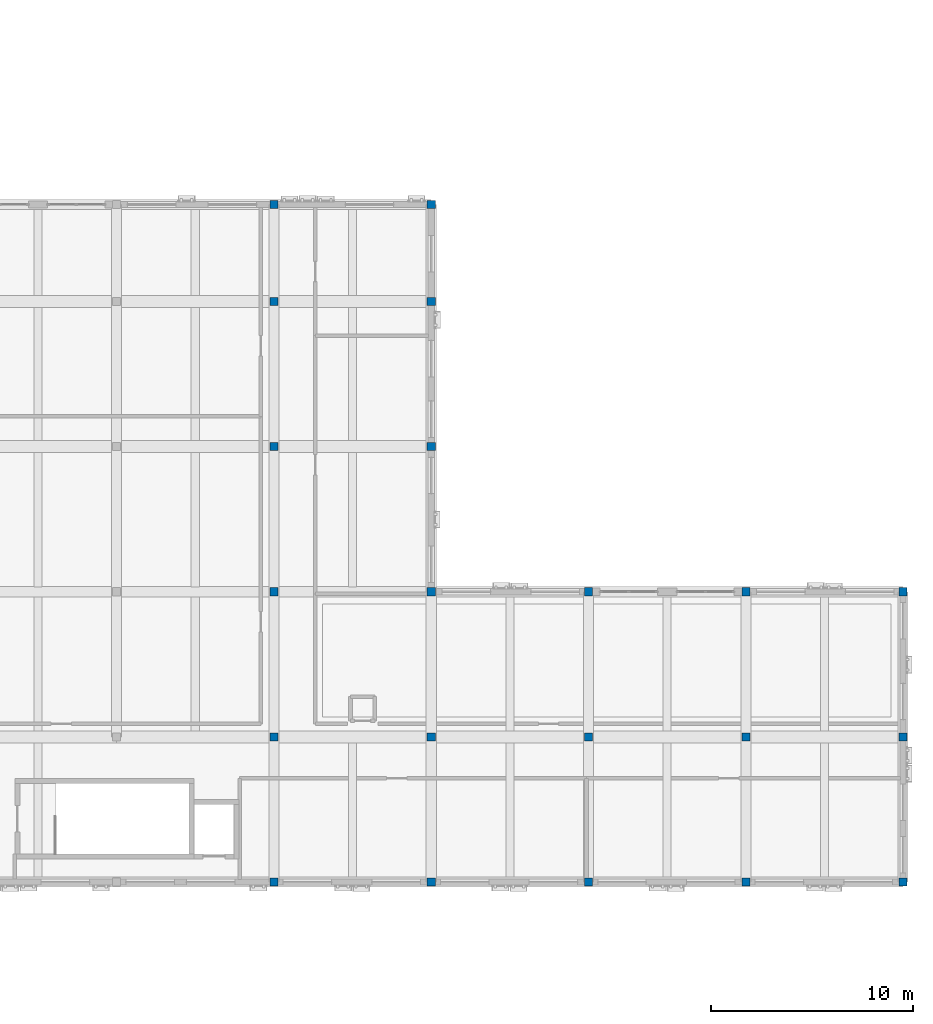
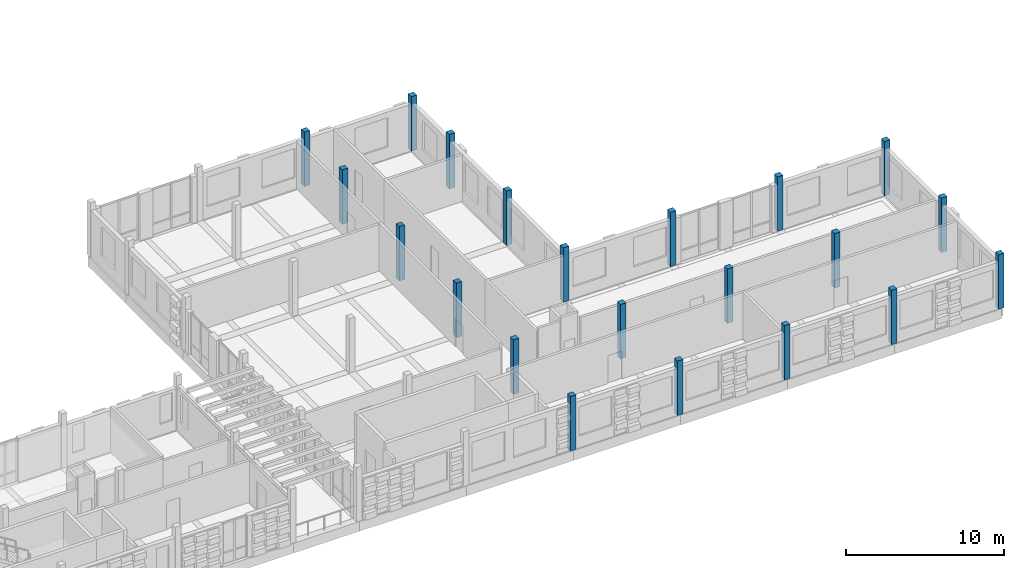
# One storey, part 9 of 99: 21 columns.
"""IFC4 building model written with IfcOpenShell, lengths in metres."""

from ifc_helpers import new_model, si_unit, direction, frame, origin, origin_2d, place, context, subcontext, project, spatial, rectangle, extrude, material, material_profile, profile_set, type_object, element, save


model = new_model("IFC4")

# Units and contexts
model_context = context("Model", 3, precision=1e-05, world=origin(), true_north=direction((0.0, 1.0)))
body_context = subcontext(model_context, "Body", "Model", "MODEL_VIEW")
ifc_project = project(units=[si_unit("LENGTHUNIT", "METRE"), si_unit("AREAUNIT", "SQUARE_METRE"), si_unit("VOLUMEUNIT", "CUBIC_METRE"), si_unit("PLANEANGLEUNIT", "RADIAN"), si_unit("MASSUNIT", "GRAM", prefix="KILO")], contexts=[model_context])

# Site, building, storey
site_placement = place(None, origin())
site = spatial("IfcSite", under=ifc_project, at=site_placement, CompositionType="ELEMENT")
building_placement = place(site_placement, origin())
building = spatial("IfcBuilding", under=site, at=building_placement, Name="Kahlenmark Community Centre", CompositionType="ELEMENT")
storey_placement = place(building_placement, frame((0.0, 0.0, 5.39990234375)))
storey = spatial("IfcBuildingStorey", under=building, at=storey_placement, Name="L01", CompositionType="ELEMENT", Elevation=5.39990234375)

# Columns
ifc_material = material(Name="Glulam GL32h", Category="wood")
ifc_material_profile = material_profile(ifc_material, rectangle(XDim=0.39990234375, YDim=0.39990234375, at=origin_2d()), Name="GL32h 400x400")
ifc_profile_set = profile_set([ifc_material_profile], Name="Glulam GL32h")
column_type = type_object("IfcColumnType", Name="CT-GL400", PredefinedType="COLUMN", material=ifc_profile_set)
for number, where, z_axis, x_axis, name in (
    (1, (137.199951171875, 8.800048828125, 0.0), (0.0, 0.0, 1.0), (1.0, 0.0, 0.0), "L01 column (137.2, 8.8)"),
    (2, (137.199951171875, 16.0, 0.0), (0.0, 0.0, 1.0), (1.0, 0.0, 0.0), "L01 column (137.2, 16.0)"),
    (3, (137.199951171875, 23.199951171875, 0.0), (0.0, 0.0, 1.0), (1.0, 0.0, 0.0), "L01 column (137.2, 23.2)"),
    (4, (137.199951171875, 30.39990234375, 0.0), (0.0, 0.0, 1.0), (1.0, 0.0, 0.0), "L01 column (137.2, 30.4)"),
    (5, (137.199951171875, 37.60009765625, 0.0), (0.0, 0.0, 1.0), (1.0, 0.0, 0.0), "L01 column (137.2, 37.6)"),
    (6, (137.199951171875, 42.39990234375, 0.0), (0.0, 0.0, 1.0), (1.0, 0.0, 0.0), "L01 column (137.2, 42.4)"),
    (7, (145.0, 8.800048828125, 0.0), (0.0, 0.0, 1.0), (1.0, 0.0, 0.0), "L01 column (145.0, 8.8)"),
    (8, (145.0, 16.0, 0.0), (0.0, 0.0, 1.0), (1.0, 0.0, 0.0), "L01 column (145.0, 16.0)"),
    (9, (145.0, 23.199951171875, 0.0), (0.0, 0.0, 1.0), (1.0, 0.0, 0.0), "L01 column (145.0, 23.2)"),
    (10, (145.0, 30.39990234375, 0.0), (0.0, 0.0, 1.0), (1.0, 0.0, 0.0), "L01 column (145.0, 30.4)"),
    (11, (145.0, 37.60009765625, 0.0), (0.0, 0.0, 1.0), (1.0, 0.0, 0.0), "L01 column (145.0, 37.6)"),
    (12, (145.0, 42.39990234375, 0.0), (0.0, 0.0, 1.0), (1.0, 0.0, 0.0), "L01 column (145.0, 42.4)"),
    (13, (152.800048828125, 8.800048828125, 0.0), (0.0, 0.0, 1.0), (1.0, 0.0, 0.0), "L01 column (152.8, 8.8)"),
    (14, (152.800048828125, 16.0, 0.0), (0.0, 0.0, 1.0), (1.0, 0.0, 0.0), "L01 column (152.8, 16.0)"),
    (15, (152.800048828125, 23.199951171875, 0.0), (0.0, 0.0, 1.0), (1.0, 0.0, 0.0), "L01 column (152.8, 23.2)"),
    (16, (160.60009765625, 8.800048828125, 0.0), (0.0, 0.0, 1.0), (1.0, 0.0, 0.0), "L01 column (160.6, 8.8)"),
    (17, (160.60009765625, 16.0, 0.0), (0.0, 0.0, 1.0), (1.0, 0.0, 0.0), "L01 column (160.6, 16.0)"),
    (18, (160.60009765625, 23.199951171875, 0.0), (0.0, 0.0, 1.0), (1.0, 0.0, 0.0), "L01 column (160.6, 23.2)"),
    (19, (168.39990234375, 8.800048828125, 0.0), (0.0, 0.0, 1.0), (1.0, 0.0, 0.0), "L01 column (168.4, 8.8)"),
    (20, (168.39990234375, 16.0, 0.0), (0.0, 0.0, 1.0), (1.0, 0.0, 0.0), "L01 column (168.4, 16.0)"),
    (21, (168.39990234375, 23.199951171875, 0.0), (0.0, 0.0, 1.0), (1.0, 0.0, 0.0), "L01 column (168.4, 23.2)"),
):
    element("IfcColumn", number, at=place(storey_placement, frame(where, z_axis=z_axis, x_axis=x_axis)), inside=storey, type_object=column_type, Name=name, PredefinedType="COLUMN", context=body_context, shape_type="SweptSolid", body=[
        extrude(rectangle(XDim=0.39990234375, YDim=0.39990234375, at=origin_2d()), origin(), (0.0, 0.0, 1.0), 4.2001953125),
    ])

save(model, "model.ifc")
